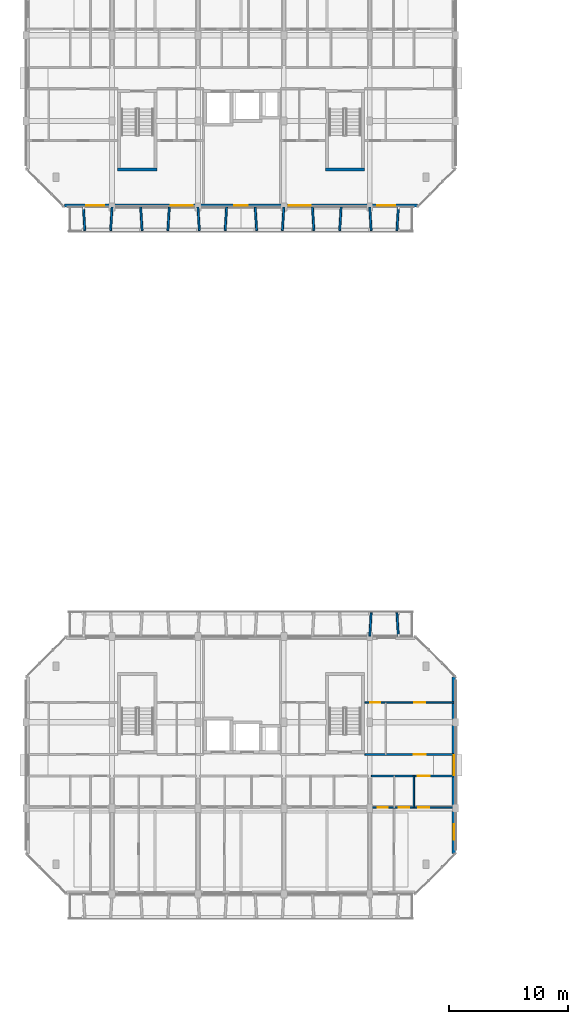
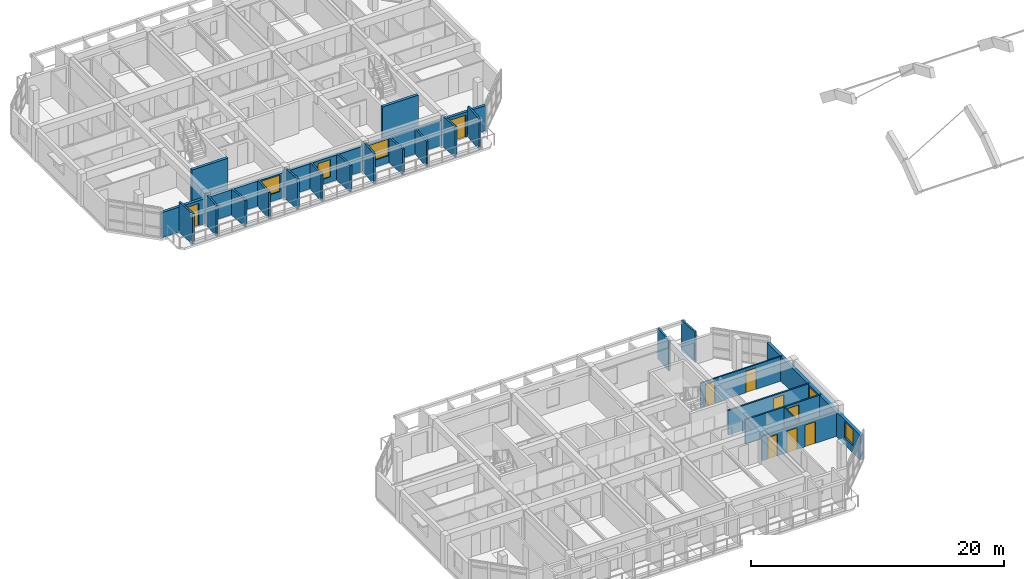
# One storey, part 34 of 64: 23 walls, 9 doors, 5 windows, 14 openings.
"""IFC4 building model written with IfcOpenShell, lengths in metres."""

import ifcopenshell
import ifcopenshell.guid

model = None  # the IFC model being written
_history = None  # IfcOwnerHistory: only IFC2X3 demands one
_inside = {}  # id of a spatial element -> (the spatial element, [elements in it])
_under = {}  # id of a project, library or spatial element -> (it, [spatial elements below it])
_declared = {}  # id of a project -> (the project, [libraries it declares])
_typed = {}  # id of a type object -> (the type object, [elements of that type])
_made_of = {}  # id of a material, layer set ... -> (it, [elements and type objects made of it])


def new_model(schema):
    """Start an empty IFC model of exactly this schema.

    Asked for "IFC4X3", IfcOpenShell would pick the latest addendum, in which some entities
    have other attributes; the version numbers below select the first issue.
    IFC2X3 requires an IfcOwnerHistory on every rooted entity: one is made here for all.
    """
    global model, _history
    if schema == "IFC4X3":
        model = ifcopenshell.file(schema_version=(4, 3, 0, 0))
    else:
        model = ifcopenshell.file(schema=schema)
    _inside.clear()
    _under.clear()
    _declared.clear()
    _typed.clear()
    _made_of.clear()
    _history = None
    if model.schema == "IFC2X3":
        org = make("IfcOrganization", Name="unknown")
        user = make(
            "IfcPersonAndOrganization",
            ThePerson=make("IfcPerson", FamilyName="unknown"),
            TheOrganization=org,
        )
        app = make(
            "IfcApplication",
            ApplicationDeveloper=org,
            Version="unknown",
            ApplicationFullName="unknown",
            ApplicationIdentifier="unknown",
        )
        _history = make(
            "IfcOwnerHistory",
            OwningUser=user,
            OwningApplication=app,
            ChangeAction="ADDED",
            CreationDate=0,
        )
    return model


def make(cls, **values):
    """One entity of the class cls with the attributes given. An attribute that is None is left unset."""
    return model.create_entity(
        cls, **{name: value for name, value in values.items() if value is not None}
    )


def rooted(cls, **values):
    """An entity with a GlobalId (a new one), such as an element, a storey or a relation."""
    return make(cls, GlobalId=ifcopenshell.guid.new(), OwnerHistory=_history, **values)


def si_unit(unit_type, name, prefix=None):
    """IfcSIUnit, for example si_unit("LENGTHUNIT", "METRE", prefix="MILLI")."""
    return make("IfcSIUnit", UnitType=unit_type, Prefix=prefix, Name=name)


def assignment(units):
    """IfcUnitAssignment: the units of a project."""
    return None if units is None else make("IfcUnitAssignment", Units=units)


def point(xyz):
    """IfcCartesianPoint."""
    return None if xyz is None else make("IfcCartesianPoint", Coordinates=xyz)


def direction(xyz):
    """IfcDirection."""
    return None if xyz is None else make("IfcDirection", DirectionRatios=xyz)


def frame(location, z_axis=None, x_axis=None):
    """IfcAxis2Placement3D, a coordinate frame: its origin and axes. An axis left out is left unset."""
    return make(
        "IfcAxis2Placement3D",
        Location=point(location),
        Axis=direction(z_axis),
        RefDirection=direction(x_axis),
    )


def frame_2d(location, x_axis=None):
    """IfcAxis2Placement2D, a coordinate frame in the plane: its origin and x axis."""
    return make(
        "IfcAxis2Placement2D", Location=point(location), RefDirection=direction(x_axis)
    )


def origin():
    """The frame at (0, 0, 0) with its axes left unset."""
    return frame((0.0, 0.0, 0.0))


def place(relative_to, where):
    """IfcLocalPlacement: puts the frame where relative to a parent placement (None: the world)."""
    return make(
        "IfcLocalPlacement", PlacementRelTo=relative_to, RelativePlacement=where
    )


def context(
    kind, dimensions, precision=None, world=None, true_north=None, identifier=None
):
    """IfcGeometricRepresentationContext, for example the 3D "Model" context."""
    return make(
        "IfcGeometricRepresentationContext",
        ContextIdentifier=identifier,
        ContextType=kind,
        CoordinateSpaceDimension=dimensions,
        Precision=precision,
        WorldCoordinateSystem=world,
        TrueNorth=true_north,
    )


def subcontext(parent, identifier, kind, view, scale=None):
    """IfcGeometricRepresentationSubContext, for example "Body" below "Model"."""
    return make(
        "IfcGeometricRepresentationSubContext",
        ContextIdentifier=identifier,
        ContextType=kind,
        ParentContext=parent,
        TargetScale=scale,
        TargetView=view,
    )


def project(units=None, contexts=None):
    """IfcProject with its units and contexts."""
    return rooted(
        "IfcProject",
        Name="project",
        RepresentationContexts=contexts,
        UnitsInContext=assignment(units),
    )


def spatial(cls, under=None, at=None, **own):
    """A site, building, storey or space (cls), placed at a placement, below another one or the project."""
    s = rooted(cls, ObjectPlacement=at, **own)
    if under is not None:
        _under.setdefault(under.id(), (under, []))[1].append(s)
    return s


def profile(cls, at=None, kind="AREA", **sizes):
    """A parametric profile (cls). Its sizes go by their IFC names, for example OverallWidth=200.0."""
    return make(cls, ProfileType=kind, Position=at, **sizes)


def rectangle(**sizes):
    """IfcRectangleProfileDef."""
    return profile("IfcRectangleProfileDef", **sizes)


def extrude(swept, where, along, depth):
    """IfcExtrudedAreaSolid: the profile swept, set in the frame where, extruded along a direction by depth."""
    return make(
        "IfcExtrudedAreaSolid",
        SweptArea=swept,
        Position=where,
        ExtrudedDirection=direction(along),
        Depth=depth,
    )


def shape(context_of_items, identifier, shape_type, items):
    """IfcShapeRepresentation: the items that make up one representation, for example the "Body"."""
    return make(
        "IfcShapeRepresentation",
        ContextOfItems=context_of_items,
        RepresentationIdentifier=identifier,
        RepresentationType=shape_type,
        Items=items,
    )


def material(Name=None, Category=None):
    """IfcMaterial."""
    return make("IfcMaterial", Name=Name, Category=Category)


def layer(
    of_material, thickness, ventilated=None, Name=None, Category=None, Priority=None
):
    """IfcMaterialLayer: one layer of a wall or slab, of a material (None: an air gap)."""
    return make(
        "IfcMaterialLayer",
        Material=of_material,
        LayerThickness=thickness,
        IsVentilated=ventilated,
        Name=Name,
        Category=Category,
        Priority=Priority,
    )


def layer_set(layers, Name=None):
    """IfcMaterialLayerSet."""
    return make("IfcMaterialLayerSet", MaterialLayers=layers, LayerSetName=Name)


def made_of(thing, what):
    """Note that an element or type object is made of a material, layer set ...; save() writes the relation."""
    if what is not None:
        _made_of.setdefault(what.id(), (what, []))[1].append(thing)
    return thing


def type_object(cls, material=None, **own):
    """A type object (cls), such as IfcWallType, which elements share."""
    return made_of(rooted(cls, **own), material)


def element(
    cls,
    number,
    at=None,
    inside=None,
    cuts=None,
    type_object=None,
    material=None,
    context=None,
    identifier="Body",
    shape_type=None,
    held_by="IfcProductDefinitionShape",
    body=None,
    shapes=None,
    **own,
):
    """One element of the class cls, such as IfcWall. Its Tag is "e" and its number.

    at: its placement. inside: the storey or other place that contains it. cuts: it is an
    opening in that element (IfcRelVoidsElement). A single representation is given by context,
    identifier, shape_type and body (its items); several are given by shapes. held_by: the class
    of the entity that holds the representations. save() writes the other relations.
    """
    e = rooted(cls, Tag="e%d" % number, ObjectPlacement=at, **own)
    if body is not None:
        shapes = [shape(context, identifier, shape_type, body)]
    if shapes is not None:
        e.Representation = make(held_by, Representations=shapes)
    if inside is not None:
        _inside.setdefault(inside.id(), (inside, []))[1].append(e)
    if cuts is not None:
        rooted(
            "IfcRelVoidsElement", RelatingBuildingElement=cuts, RelatedOpeningElement=e
        )
    if type_object is not None:
        _typed.setdefault(type_object.id(), (type_object, []))[1].append(e)
    return made_of(e, material)


def fill(opening, filler):
    """IfcRelFillsElement: the door or window that sits in an opening."""
    return rooted(
        "IfcRelFillsElement",
        RelatingOpeningElement=opening,
        RelatedBuildingElement=filler,
    )


def aggregate(whole, parts):
    """IfcRelAggregates: a whole, such as a stair, and the parts it consists of."""
    return rooted("IfcRelAggregates", RelatingObject=whole, RelatedObjects=parts)


def save(model, path):
    """Write the relations noted so far, then the file.

    IfcRelAggregates (storeys below a building ...), IfcRelContainedInSpatialStructure (elements
    in a storey), IfcRelDefinesByType, IfcRelAssociatesMaterial and IfcRelDeclares: one each for
    every whole, place, type object, material and project.
    """
    for whole, parts in _under.values():
        aggregate(whole, parts)
    for where, things in _inside.values():
        rooted(
            "IfcRelContainedInSpatialStructure",
            RelatedElements=things,
            RelatingStructure=where,
        )
    for kind, things in _typed.values():
        rooted("IfcRelDefinesByType", RelatedObjects=things, RelatingType=kind)
    for what, things in _made_of.values():
        rooted("IfcRelAssociatesMaterial", RelatedObjects=things, RelatingMaterial=what)
    for by, libraries in _declared.values():
        rooted("IfcRelDeclares", RelatingContext=by, RelatedDefinitions=libraries)
    model.write(path)


model = new_model("IFC4")

# Units and contexts
model_context = context("Model", 3, precision=1e-05, world=origin(), true_north=direction((0.0, 1.0)))
body_context = subcontext(model_context, "Body", "Model", "MODEL_VIEW")
ifc_project = project(units=[si_unit("LENGTHUNIT", "METRE"), si_unit("AREAUNIT", "SQUARE_METRE"), si_unit("VOLUMEUNIT", "CUBIC_METRE"), si_unit("PLANEANGLEUNIT", "RADIAN"), si_unit("MASSUNIT", "GRAM", prefix="KILO")], contexts=[model_context])

# Site, building, storey
site_placement = place(None, origin())
site = spatial("IfcSite", under=ifc_project, at=site_placement, CompositionType="ELEMENT")
building_placement = place(site_placement, origin())
building = spatial("IfcBuilding", under=site, at=building_placement, Name="Ochrevale Crest", CompositionType="ELEMENT")
storey_placement = place(building_placement, frame((0.0, 0.0, 8.699951171875)))
storey = spatial("IfcBuildingStorey", under=building, at=storey_placement, Name="L02", CompositionType="ELEMENT", Elevation=8.699951171875)

# Wall, opening, door
ifc_material_1 = material(Name="Gypsum plasterboard", Category="gypsum")
ifc_layer_1 = layer(ifc_material_1, 0.139892578125)
ifc_layer_set_1 = layer_set([ifc_layer_1], Name="Gypsum plasterboard")
wall_type_1 = type_object("IfcWallType", Name="WL-COR-140", PredefinedType="PARTITIONING", material=ifc_layer_set_1)
wall_1_placement = place(storey_placement, frame((28.93994140625, 24.300048828125, 0.0), z_axis=(0.0, 0.0, 1.0), x_axis=(1.0, 0.0, 0.0)))
wall_1 = element("IfcWall", 1, at=wall_1_placement, inside=storey, type_object=wall_type_1, Name="Apartment A-L02-U5 corridor wall", PredefinedType="PARTITIONING", context=body_context, shape_type="SweptSolid", body=[
    extrude(rectangle(XDim=6.920166015625, YDim=0.139892578125, at=frame_2d((3.4599609375, 0.0))), origin(), (0.0, 0.0, 1.0), 2.380126953125),
])
opening_1_placement = place(wall_1_placement, frame((3.89501953125, 0.0, 0.0)))
opening_1 = element("IfcOpeningElement", 2, at=opening_1_placement, cuts=wall_1, Name="Opening FD01", PredefinedType="OPENING", context=body_context, shape_type="SweptSolid", body=[
    extrude(rectangle(XDim=0.97998046875, YDim=2.10009765625, at=frame_2d((0.489990234375, 1.050048828125))), frame((0.0, 0.080078125, 0.0), z_axis=(0.0, -1.0, 0.0), x_axis=(1.0, 0.0, 0.0)), (0.0, 0.0, 1.0), 0.159912109375),
])
ifc_material_2 = material(Name="Solid-core FSC hardwood", Category="wood")
door_type_1 = type_object("IfcDoorType", Name="DR-APT-950", OperationType="NOTDEFINED", PredefinedType="DOOR", material=ifc_material_2)
door_1_placement = place(opening_1_placement, origin())
door_1 = element("IfcDoor", 3, at=door_1_placement, inside=storey, type_object=door_type_1, Name="Apartment A-L02-U5 entrance door", OperationType="SINGLE_SWING_LEFT", OverallHeight=2.10009765625, OverallWidth=0.97998046875, PredefinedType="DOOR", context=body_context, shape_type="SweptSolid", body=[
    extrude(rectangle(XDim=0.97998046875, YDim=2.10009765625, at=frame_2d((0.489990234375, 1.050048828125))), frame((0.0, 0.02490234375, 0.0), z_axis=(0.0, -1.0, 0.0), x_axis=(1.0, 0.0, 0.0)), (0.0, 0.0, 1.0), 0.050048828125),
])
fill(opening_1, door_1)

wall_2_placement = place(storey_placement, frame((28.389892578125, 26.10009765625, 0.0), z_axis=(0.0, 0.0, 1.0), x_axis=(1.0, 0.0, 0.0)))
wall_2 = element("IfcWall", 4, at=wall_2_placement, inside=storey, type_object=wall_type_1, Name="Suite A-L02-CE corridor wall", PredefinedType="PARTITIONING", context=body_context, shape_type="SweptSolid", body=[
    extrude(rectangle(XDim=7.47021484375, YDim=0.139892578125, at=frame_2d((3.735107421875, 0.0))), origin(), (0.0, 0.0, 1.0), 2.380126953125),
])
opening_2_placement = place(wall_2_placement, frame((4.1201171875, 0.0, 0.0)))
opening_2 = element("IfcOpeningElement", 5, at=opening_2_placement, cuts=wall_2, Name="Opening FD01", PredefinedType="OPENING", context=body_context, shape_type="SweptSolid", body=[
    extrude(rectangle(XDim=0.97998046875, YDim=2.10009765625, at=frame_2d((0.489990234375, 1.050048828125))), frame((0.0, 0.080078125, 0.0), z_axis=(0.0, -1.0, 0.0), x_axis=(1.0, 0.0, 0.0)), (0.0, 0.0, 1.0), 0.159912109375),
])
door_2_placement = place(opening_2_placement, origin())
door_2 = element("IfcDoor", 6, at=door_2_placement, inside=storey, type_object=door_type_1, Name="Suite A-L02-CE entrance door", OperationType="SINGLE_SWING_LEFT", OverallHeight=2.10009765625, OverallWidth=0.97998046875, PredefinedType="DOOR", context=body_context, shape_type="SweptSolid", body=[
    extrude(rectangle(XDim=0.97998046875, YDim=2.10009765625, at=frame_2d((0.489990234375, 1.050048828125))), frame((0.0, 0.02490234375, 0.0), z_axis=(0.0, -1.0, 0.0), x_axis=(1.0, 0.0, 0.0)), (0.0, 0.0, 1.0), 0.050048828125),
])
fill(opening_2, door_2)

# Walls
ifc_material_3 = material(Name="Precast concrete C50/60", Category="concrete")
ifc_layer_2 = layer(ifc_material_3, 0.2548828125)
ifc_layer_set_2 = layer_set([ifc_layer_2], Name="Precast concrete C50/60")
wall_type_2 = type_object("IfcWallType", Name="WL-CORE-255", PredefinedType="SHEAR", material=ifc_layer_set_2)
for number, where, z_axis, x_axis, name in (
    (7, (7.672607421875, 75.14990234375, 0.0), (0.0, 0.0, 1.0), (1.0, 0.0, 0.0), "Block B L02 Stair 1 precast core shear wall S"),
    (8, (25.072509765625, 75.14990234375, 0.0), (0.0, 0.0, 1.0), (1.0, 0.0, 0.0), "Block B L02 Stair 2 precast core shear wall S"),
):
    element("IfcWall", number, at=place(storey_placement, frame(where, z_axis=z_axis, x_axis=x_axis)), inside=storey, type_object=wall_type_2, Name=name, PredefinedType="SHEAR", context=body_context, shape_type="SweptSolid", body=[
        extrude(rectangle(XDim=3.304931640625, YDim=0.2548828125, at=frame_2d((1.65234375, 0.0))), origin(), (0.0, 0.0, 1.0), 3.150146484375),
    ])

# Wall, openings, windows
ifc_material_4 = material(Name="Clay face brickwork", Category="masonry")
ifc_layer_3 = layer(ifc_material_4, 0.2900390625)
ifc_layer_set_3 = layer_set([ifc_layer_3], Name="Clay face brickwork")
wall_type_3 = type_object("IfcWallType", Name="WL-EXT-BRICK-290", PredefinedType="SOLIDWALL", material=ifc_layer_set_3)
wall_3_placement = place(storey_placement, frame((35.85498046875, 17.800048828125, 0.0), z_axis=(0.0, 0.0, 1.0), x_axis=(0.0, 1.0, 0.0)))
wall_3 = element("IfcWall", 9, at=wall_3_placement, inside=storey, type_object=wall_type_3, Name="Block A L02 external facade wall E3", PredefinedType="SOLIDWALL", context=body_context, shape_type="SweptSolid", body=[
    extrude(rectangle(XDim=14.800048828125, YDim=0.2900390625, at=frame_2d((7.39990234375, 0.0))), origin(), (0.0, 0.0, 1.0), 2.380126953125),
])
opening_3_placement = place(wall_3_placement, frame((6.574951171875, 0.0, 1.050048828125)))
opening_3 = element("IfcOpeningElement", 10, at=opening_3_placement, cuts=wall_3, Name="Opening W19", PredefinedType="OPENING", context=body_context, shape_type="SweptSolid", body=[
    extrude(rectangle(XDim=1.64990234375, YDim=1.14990234375, at=frame_2d((0.824951171875, 0.574951171875))), frame((0.0, 0.155029296875, 0.0), z_axis=(0.0, -1.0, 0.0), x_axis=(1.0, 0.0, 0.0)), (0.0, 0.0, 1.0), 0.31005859375),
])
opening_4_placement = place(wall_3_placement, frame((1.172607421875, 0.0, 0.719970703125)))
opening_4 = element("IfcOpeningElement", 11, at=opening_4_placement, cuts=wall_3, Name="Opening W30", PredefinedType="OPENING", context=body_context, shape_type="SweptSolid", body=[
    extrude(rectangle(XDim=1.300048828125, YDim=1.550048828125, at=frame_2d((0.64990234375, 0.77490234375))), frame((0.0, 0.155029296875, 0.0), z_axis=(0.0, -1.0, 0.0), x_axis=(1.0, 0.0, 0.0)), (0.0, 0.0, 1.0), 0.31005859375),
])
ifc_material_5 = material(Name="Anodised aluminium 6063-T5 and low-E double glazing", Category="aluminium")
window_type_1 = type_object("IfcWindowType", Name="WIN-W19", PartitioningType="SINGLE_PANEL", PredefinedType="WINDOW", material=ifc_material_5)
window_1_placement = place(opening_3_placement, origin())
window_1 = element("IfcWindow", 12, at=window_1_placement, inside=storey, type_object=window_type_1, Name="Block A L02 corridor end daylight window E", OverallHeight=1.14990234375, OverallWidth=1.64990234375, PartitioningType="SINGLE_PANEL", PredefinedType="WINDOW", context=body_context, shape_type="SweptSolid", body=[
    extrude(rectangle(XDim=1.64990234375, YDim=1.14990234375, at=frame_2d((0.824951171875, 0.574951171875))), frame((0.0, 0.030029296875, 0.0), z_axis=(0.0, -1.0, 0.0), x_axis=(1.0, 0.0, 0.0)), (0.0, 0.0, 1.0), 0.06005859375),
])
fill(opening_3, window_1)
window_type_2 = type_object("IfcWindowType", Name="WIN-W30", PartitioningType="SINGLE_PANEL", PredefinedType="WINDOW", material=ifc_material_5)
window_2_placement = place(opening_4_placement, origin())
window_2 = element("IfcWindow", 13, at=window_2_placement, inside=storey, type_object=window_type_2, Name="Block A L02 side suite window E", OverallHeight=1.550048828125, OverallWidth=1.300048828125, PartitioningType="SINGLE_PANEL", PredefinedType="WINDOW", context=body_context, shape_type="SweptSolid", body=[
    extrude(rectangle(XDim=1.300048828125, YDim=1.550048828125, at=frame_2d((0.64990234375, 0.77490234375))), frame((0.0, 0.030029296875, 0.0), z_axis=(0.0, -1.0, 0.0), x_axis=(1.0, 0.0, 0.0)), (0.0, 0.0, 1.0), 0.06005859375),
])
fill(opening_4, window_2)

# Wall, openings, doors, windows
ifc_material_6 = material(Name="Precast concrete C40/50", Category="concrete")
ifc_layer_4 = layer(ifc_material_6, 0.25)
ifc_layer_set_4 = layer_set([ifc_layer_4], Name="Precast concrete C40/50")
wall_type_4 = type_object("IfcWallType", Name="WL-EXT-GOLD-250", PredefinedType="SOLIDWALL", material=ifc_layer_set_4)
wall_4_placement = place(storey_placement, frame((3.199951171875, 72.125, 0.0), z_axis=(0.0, 0.0, 1.0), x_axis=(1.0, 0.0, 0.0)))
wall_4 = element("IfcWall", 14, at=wall_4_placement, inside=storey, type_object=wall_type_4, Name="Block B L02 external facade wall E1", PredefinedType="SOLIDWALL", context=body_context, shape_type="SweptSolid", body=[
    extrude(rectangle(XDim=29.60009765625, YDim=0.25, at=frame_2d((14.800048828125, 0.0))), origin(), (0.0, 0.0, 1.0), 2.429931640625),
])
opening_5_placement = place(wall_4_placement, frame((3.35009765625, 0.0, 0.0), z_axis=(0.0, 0.0, 1.0), x_axis=(-1.0, 0.0, 0.0)))
opening_5 = element("IfcOpeningElement", 15, at=opening_5_placement, cuts=wall_4, Name="Opening BD01", PredefinedType="OPENING", context=body_context, shape_type="SweptSolid", body=[
    extrude(rectangle(XDim=1.5, YDim=2.14990234375, at=frame_2d((0.75, 1.074951171875))), frame((0.0, 0.135009765625, 0.0), z_axis=(0.0, -1.0, 0.0), x_axis=(1.0, 0.0, 0.0)), (0.0, 0.0, 1.0), 0.27001953125),
])
opening_6_placement = place(wall_4_placement, frame((27.75, 0.0, 0.0), z_axis=(0.0, 0.0, 1.0), x_axis=(-1.0, 0.0, 0.0)))
opening_6 = element("IfcOpeningElement", 16, at=opening_6_placement, cuts=wall_4, Name="Opening BD01", PredefinedType="OPENING", context=body_context, shape_type="SweptSolid", body=[
    extrude(rectangle(XDim=1.5, YDim=2.14990234375, at=frame_2d((0.75, 1.074951171875))), frame((0.0, 0.135009765625, 0.0), z_axis=(0.0, -1.0, 0.0), x_axis=(1.0, 0.0, 0.0)), (0.0, 0.0, 1.0), 0.27001953125),
])
opening_7_placement = place(wall_4_placement, frame((14.22509765625, 0.0, 0.5)))
opening_7 = element("IfcOpeningElement", 17, at=opening_7_placement, cuts=wall_4, Name="Opening W32", PredefinedType="OPENING", context=body_context, shape_type="SweptSolid", body=[
    extrude(rectangle(XDim=1.14990234375, YDim=1.679931640625, at=frame_2d((0.574951171875, 0.83984375))), frame((0.0, 0.135009765625, 0.0), z_axis=(0.0, -1.0, 0.0), x_axis=(1.0, 0.0, 0.0)), (0.0, 0.0, 1.0), 0.27001953125),
])
opening_8_placement = place(wall_4_placement, frame((18.81494140625, 0.0, 0.699951171875)))
opening_8 = element("IfcOpeningElement", 18, at=opening_8_placement, cuts=wall_4, Name="Opening W11", PredefinedType="OPENING", context=body_context, shape_type="SweptSolid", body=[
    extrude(rectangle(XDim=1.860107421875, YDim=1.60009765625, at=frame_2d((0.93017578125, 0.800048828125))), frame((0.0, 0.135009765625, 0.0), z_axis=(0.0, -1.0, 0.0), x_axis=(1.0, 0.0, 0.0)), (0.0, 0.0, 1.0), 0.27001953125),
])
opening_9_placement = place(wall_4_placement, frame((8.925048828125, 0.0, 0.699951171875)))
opening_9 = element("IfcOpeningElement", 19, at=opening_9_placement, cuts=wall_4, Name="Opening W11", PredefinedType="OPENING", context=body_context, shape_type="SweptSolid", body=[
    extrude(rectangle(XDim=1.860107421875, YDim=1.60009765625, at=frame_2d((0.93017578125, 0.800048828125))), frame((0.0, 0.135009765625, 0.0), z_axis=(0.0, -1.0, 0.0), x_axis=(1.0, 0.0, 0.0)), (0.0, 0.0, 1.0), 0.27001953125),
])
ifc_material_7 = material(Name="Anodised aluminium 6063-T5 and toughened glass", Category="aluminium")
door_type_2 = type_object("IfcDoorType", Name="DR-BAL-1500", OperationType="NOTDEFINED", PredefinedType="DOOR", material=ifc_material_7)
door_3_placement = place(opening_5_placement, origin())
door_3 = element("IfcDoor", 20, at=door_3_placement, inside=storey, type_object=door_type_2, Name="Block B L02 balcony door S1", OperationType="SINGLE_SWING_RIGHT", OverallHeight=2.14990234375, OverallWidth=1.5, PredefinedType="DOOR", context=body_context, shape_type="SweptSolid", body=[
    extrude(rectangle(XDim=1.5, YDim=2.14990234375, at=frame_2d((0.75, 1.074951171875))), frame((0.0, 0.02490234375, 0.0), z_axis=(0.0, -1.0, 0.0), x_axis=(1.0, 0.0, 0.0)), (0.0, 0.0, 1.0), 0.050048828125),
])
fill(opening_5, door_3)
door_4_placement = place(opening_6_placement, origin())
door_4 = element("IfcDoor", 21, at=door_4_placement, inside=storey, type_object=door_type_2, Name="Block B L02 balcony door S5", OperationType="SINGLE_SWING_LEFT", OverallHeight=2.14990234375, OverallWidth=1.5, PredefinedType="DOOR", context=body_context, shape_type="SweptSolid", body=[
    extrude(rectangle(XDim=1.5, YDim=2.14990234375, at=frame_2d((0.75, 1.074951171875))), frame((0.0, 0.02490234375, 0.0), z_axis=(0.0, -1.0, 0.0), x_axis=(1.0, 0.0, 0.0)), (0.0, 0.0, 1.0), 0.050048828125),
])
fill(opening_6, door_4)
window_type_3 = type_object("IfcWindowType", Name="WIN-W11", PartitioningType="SINGLE_PANEL", PredefinedType="WINDOW", material=ifc_material_5)
window_3_placement = place(opening_8_placement, origin())
window_3 = element("IfcWindow", 22, at=window_3_placement, inside=storey, type_object=window_type_3, Name="Block B L02 Suite B-L02-ME Garden Alcove Studio window", OverallHeight=1.60009765625, OverallWidth=1.860107421875, PartitioningType="SINGLE_PANEL", PredefinedType="WINDOW", context=body_context, shape_type="SweptSolid", body=[
    extrude(rectangle(XDim=1.860107421875, YDim=1.60009765625, at=frame_2d((0.93017578125, 0.800048828125))), frame((0.0, 0.030029296875, 0.0), z_axis=(0.0, -1.0, 0.0), x_axis=(1.0, 0.0, 0.0)), (0.0, 0.0, 1.0), 0.06005859375),
])
fill(opening_8, window_3)
window_4_placement = place(opening_9_placement, origin())
window_4 = element("IfcWindow", 23, at=window_4_placement, inside=storey, type_object=window_type_3, Name="Block B L02 Suite B-L02-MW Courtyard Studio Living window", OverallHeight=1.60009765625, OverallWidth=1.860107421875, PartitioningType="SINGLE_PANEL", PredefinedType="WINDOW", context=body_context, shape_type="SweptSolid", body=[
    extrude(rectangle(XDim=1.860107421875, YDim=1.60009765625, at=frame_2d((0.93017578125, 0.800048828125))), frame((0.0, 0.030029296875, 0.0), z_axis=(0.0, -1.0, 0.0), x_axis=(1.0, 0.0, 0.0)), (0.0, 0.0, 1.0), 0.06005859375),
])
fill(opening_9, window_4)
window_type_4 = type_object("IfcWindowType", Name="WIN-W32", PartitioningType="SINGLE_PANEL", PredefinedType="WINDOW", material=ifc_material_5)
window_5_placement = place(opening_7_placement, origin())
window_5 = element("IfcWindow", 24, at=window_5_placement, inside=storey, type_object=window_type_4, Name="Block B L02 core lancet window", OverallHeight=1.679931640625, OverallWidth=1.14990234375, PartitioningType="SINGLE_PANEL", PredefinedType="WINDOW", context=body_context, shape_type="SweptSolid", body=[
    extrude(rectangle(XDim=1.14990234375, YDim=1.679931640625, at=frame_2d((0.574951171875, 0.83984375))), frame((0.0, 0.030029296875, 0.0), z_axis=(0.0, -1.0, 0.0), x_axis=(1.0, 0.0, 0.0)), (0.0, 0.0, 1.0), 0.06005859375),
])
fill(opening_7, window_5)

# Walls
ifc_layer_5 = layer(ifc_material_6, 0.1650390625)
ifc_layer_set_5 = layer_set([ifc_layer_5], Name="Precast concrete C40/50")
wall_type_5 = type_object("IfcWallType", Name="WL-HC-CHEEK-165", PredefinedType="ELEMENTEDWALL", material=ifc_layer_set_5)
for number, where, z_axis, x_axis, name in (
    (25, (28.800048828125, 36.02001953125, 0.0), (0.0, 0.0, 1.0), (0.061046865508, 0.998134900808, 0.0), "Block A L02 N precast honeycomb cheek 11"),
    (26, (31.199951171875, 36.02001953125, 0.0), (0.0, 0.0, 1.0), (-0.061046865508, 0.998134900808, 0.0), "Block A L02 N precast honeycomb cheek 12"),
    (27, (4.800048828125, 71.97998046875, 0.0), (0.0, 0.0, 1.0), (0.061046865508, -0.998134900808, 0.0), "Block B L02 S precast honeycomb cheek 1"),
    (28, (7.199951171875, 71.97998046875, 0.0), (0.0, 0.0, 1.0), (-0.061046865508, -0.998134900808, 0.0), "Block B L02 S precast honeycomb cheek 2"),
):
    element("IfcWall", number, at=place(storey_placement, frame(where, z_axis=z_axis, x_axis=x_axis)), inside=storey, type_object=wall_type_5, Name=name, PredefinedType="ELEMENTEDWALL", context=body_context, shape_type="SweptSolid", body=[
        extrude(rectangle(XDim=1.963623046875, YDim=0.1650390625, at=frame_2d((0.98193359375, 0.0))), origin(), (0.0, 0.0, 1.0), 2.949951171875),
    ])
for number, where, z_axis, x_axis, name in (
    (29, (9.60009765625, 71.97998046875, 0.0), (0.0, 0.0, 1.0), (0.061046865508, -0.998134900808, 0.0), "Block B L02 S precast honeycomb cheek 3"),
    (30, (12.0, 71.97998046875, 0.0), (0.0, 0.0, 1.0), (-0.061170732449, -0.998127317276, 0.0), "Block B L02 S precast honeycomb cheek 4"),
):
    element("IfcWall", number, at=place(storey_placement, frame(where, z_axis=z_axis, x_axis=x_axis)), inside=storey, type_object=wall_type_5, Name=name, PredefinedType="ELEMENTEDWALL", context=body_context, shape_type="SweptSolid", body=[
        extrude(rectangle(XDim=1.963623046875, YDim=0.1650390625, at=frame_2d((0.98193359375, 0.0))), origin(), (0.0, 0.0, 1.0), 2.550048828125),
    ])
wall_5_placement = place(storey_placement, frame((14.39990234375, 71.97998046875, 0.0), z_axis=(0.0, 0.0, 1.0), x_axis=(0.061170732449, -0.998127317276, 0.0)))
element("IfcWall", 31, at=wall_5_placement, inside=storey, type_object=wall_type_5, Name="Block B L02 S precast honeycomb cheek 5", PredefinedType="ELEMENTEDWALL", context=body_context, shape_type="SweptSolid", body=[
    extrude(rectangle(XDim=1.963623046875, YDim=0.1650390625, at=frame_2d((0.98193359375, 0.0))), origin(), (0.0, 0.0, 1.0), 2.949951171875),
])
for number, where, z_axis, x_axis, name in (
    (32, (16.800048828125, 71.97998046875, 0.0), (0.0, 0.0, 1.0), (-0.061170732449, -0.998127317276, 0.0), "Block B L02 S precast honeycomb cheek 6"),
    (33, (19.199951171875, 71.97998046875, 0.0), (0.0, 0.0, 1.0), (0.061170732449, -0.998127317276, 0.0), "Block B L02 S precast honeycomb cheek 7"),
):
    element("IfcWall", number, at=place(storey_placement, frame(where, z_axis=z_axis, x_axis=x_axis)), inside=storey, type_object=wall_type_5, Name=name, PredefinedType="ELEMENTEDWALL", context=body_context, shape_type="SweptSolid", body=[
        extrude(rectangle(XDim=1.963623046875, YDim=0.1650390625, at=frame_2d((0.98193359375, 0.0))), origin(), (0.0, 0.0, 1.0), 2.580078125),
    ])
wall_6_placement = place(storey_placement, frame((21.60009765625, 71.97998046875, 0.0), z_axis=(0.0, 0.0, 1.0), x_axis=(-0.061170732449, -0.998127317276, 0.0)))
element("IfcWall", 34, at=wall_6_placement, inside=storey, type_object=wall_type_5, Name="Block B L02 S precast honeycomb cheek 8", PredefinedType="ELEMENTEDWALL", context=body_context, shape_type="SweptSolid", body=[
    extrude(rectangle(XDim=1.963623046875, YDim=0.1650390625, at=frame_2d((0.98193359375, 0.0))), origin(), (0.0, 0.0, 1.0), 2.949951171875),
])
for number, where, z_axis, x_axis, name in (
    (35, (24.0, 71.97998046875, 0.0), (0.0, 0.0, 1.0), (0.061170732449, -0.998127317276, 0.0), "Block B L02 S precast honeycomb cheek 9"),
    (36, (26.39990234375, 71.97998046875, 0.0), (0.0, 0.0, 1.0), (-0.061046865508, -0.998134900808, 0.0), "Block B L02 S precast honeycomb cheek 10"),
):
    element("IfcWall", number, at=place(storey_placement, frame(where, z_axis=z_axis, x_axis=x_axis)), inside=storey, type_object=wall_type_5, Name=name, PredefinedType="ELEMENTEDWALL", context=body_context, shape_type="SweptSolid", body=[
        extrude(rectangle(XDim=1.963623046875, YDim=0.1650390625, at=frame_2d((0.98193359375, 0.0))), origin(), (0.0, 0.0, 1.0), 2.449951171875),
    ])
for number, where, z_axis, x_axis, name in (
    (37, (28.800048828125, 71.97998046875, 0.0), (0.0, 0.0, 1.0), (0.061046865508, -0.998134900808, 0.0), "Block B L02 S precast honeycomb cheek 11"),
    (38, (31.199951171875, 71.97998046875, 0.0), (0.0, 0.0, 1.0), (-0.061046865508, -0.998134900808, 0.0), "Block B L02 S precast honeycomb cheek 12"),
):
    element("IfcWall", number, at=place(storey_placement, frame(where, z_axis=z_axis, x_axis=x_axis)), inside=storey, type_object=wall_type_5, Name=name, PredefinedType="ELEMENTEDWALL", context=body_context, shape_type="SweptSolid", body=[
        extrude(rectangle(XDim=1.963623046875, YDim=0.1650390625, at=frame_2d((0.98193359375, 0.0))), origin(), (0.0, 0.0, 1.0), 2.949951171875),
    ])
ifc_layer_6 = layer(ifc_material_1, 0.1201171875)
ifc_layer_set_6 = layer_set([ifc_layer_6], Name="Gypsum plasterboard")
wall_type_6 = type_object("IfcWallType", Name="WL-PART-120", PredefinedType="PARTITIONING", material=ifc_layer_set_6)
wall_7_placement = place(storey_placement, frame((32.5, 21.64990234375, 0.0), z_axis=(0.0, 0.0, 1.0), x_axis=(0.0, 1.0, 0.0)))
element("IfcWall", 39, at=wall_7_placement, inside=storey, type_object=wall_type_6, Name="Apartment A-L02-U5 kitchen-foyer wall", PredefinedType="PARTITIONING", context=body_context, shape_type="SweptSolid", body=[
    extrude(rectangle(XDim=2.650146484375, YDim=0.1201171875, at=frame_2d((1.3251953125, 0.0))), origin(), (0.0, 0.0, 1.0), 2.375),
])

# Wall, openings, doors
wall_8_placement = place(storey_placement, frame((28.93994140625, 21.64990234375, 0.0), z_axis=(0.0, 0.0, 1.0), x_axis=(1.0, 0.0, 0.0)))
wall_8 = element("IfcWall", 40, at=wall_8_placement, inside=storey, type_object=wall_type_6, Name="Apartment A-L02-U5 central partition", PredefinedType="PARTITIONING", context=body_context, shape_type="SweptSolid", body=[
    extrude(rectangle(XDim=6.920166015625, YDim=0.1201171875, at=frame_2d((3.4599609375, 0.0))), origin(), (0.0, 0.0, 1.0), 2.375),
])
opening_10_placement = place(wall_8_placement, frame((1.380126953125, 0.0, 0.0), z_axis=(0.0, 0.0, 1.0), x_axis=(-1.0, 0.0, 0.0)))
opening_10 = element("IfcOpeningElement", 41, at=opening_10_placement, cuts=wall_8, Name="Opening ID01", PredefinedType="OPENING", context=body_context, shape_type="SweptSolid", body=[
    extrude(rectangle(XDim=0.85009765625, YDim=2.080078125, at=frame_2d((0.425048828125, 1.0400390625))), frame((0.0, 0.070068359375, 0.0), z_axis=(0.0, -1.0, 0.0), x_axis=(1.0, 0.0, 0.0)), (0.0, 0.0, 1.0), 0.14013671875),
])
opening_11_placement = place(wall_8_placement, frame((2.284912109375, 0.0, 0.0)))
opening_11 = element("IfcOpeningElement", 42, at=opening_11_placement, cuts=wall_8, Name="Opening ID02", PredefinedType="OPENING", context=body_context, shape_type="SweptSolid", body=[
    extrude(rectangle(XDim=0.89990234375, YDim=2.080078125, at=frame_2d((0.449951171875, 1.0400390625))), frame((0.0, 0.070068359375, 0.0), z_axis=(0.0, -1.0, 0.0), x_axis=(1.0, 0.0, 0.0)), (0.0, 0.0, 1.0), 0.14013671875),
])
opening_12_placement = place(wall_8_placement, frame((4.85986328125, 0.0, 0.0), z_axis=(0.0, 0.0, 1.0), x_axis=(-1.0, 0.0, 0.0)))
opening_12 = element("IfcOpeningElement", 43, at=opening_12_placement, cuts=wall_8, Name="Opening ID06", PredefinedType="OPENING", context=body_context, shape_type="SweptSolid", body=[
    extrude(rectangle(XDim=0.949951171875, YDim=2.080078125, at=frame_2d((0.47509765625, 1.0400390625))), frame((0.0, 0.070068359375, 0.0), z_axis=(0.0, -1.0, 0.0), x_axis=(1.0, 0.0, 0.0)), (0.0, 0.0, 1.0), 0.14013671875),
])
door_type_3 = type_object("IfcDoorType", Name="DR-INT-900", OperationType="NOTDEFINED", PredefinedType="DOOR", material=ifc_material_2)
door_5_placement = place(opening_11_placement, origin())
door_5 = element("IfcDoor", 44, at=door_5_placement, inside=storey, type_object=door_type_3, Name="Apartment A-L02-U5 Kitchen door", OperationType="SINGLE_SWING_LEFT", OverallHeight=2.080078125, OverallWidth=0.89990234375, PredefinedType="DOOR", context=body_context, shape_type="SweptSolid", body=[
    extrude(rectangle(XDim=0.89990234375, YDim=2.080078125, at=frame_2d((0.449951171875, 1.0400390625))), frame((0.0, 0.02490234375, 0.0), z_axis=(0.0, -1.0, 0.0), x_axis=(1.0, 0.0, 0.0)), (0.0, 0.0, 1.0), 0.050048828125),
])
fill(opening_11, door_5)
door_type_4 = type_object("IfcDoorType", Name="DR-INT-950", OperationType="NOTDEFINED", PredefinedType="DOOR", material=ifc_material_2)
door_6_placement = place(opening_12_placement, origin())
door_6 = element("IfcDoor", 45, at=door_6_placement, inside=storey, type_object=door_type_4, Name="Apartment A-L02-U5 Living Foyer door", OperationType="SINGLE_SWING_RIGHT", OverallHeight=2.080078125, OverallWidth=0.949951171875, PredefinedType="DOOR", context=body_context, shape_type="SweptSolid", body=[
    extrude(rectangle(XDim=0.949951171875, YDim=2.080078125, at=frame_2d((0.47509765625, 1.0400390625))), frame((0.0, 0.02490234375, 0.0), z_axis=(0.0, -1.0, 0.0), x_axis=(1.0, 0.0, 0.0)), (0.0, 0.0, 1.0), 0.050048828125),
])
fill(opening_12, door_6)
door_type_5 = type_object("IfcDoorType", Name="DR-WC-850", OperationType="NOTDEFINED", PredefinedType="DOOR", material=ifc_material_2)
door_7_placement = place(opening_10_placement, origin())
door_7 = element("IfcDoor", 46, at=door_7_placement, inside=storey, type_object=door_type_5, Name="Apartment A-L02-U5 Bathroom door", OperationType="SINGLE_SWING_RIGHT", OverallHeight=2.080078125, OverallWidth=0.85009765625, PredefinedType="DOOR", context=body_context, shape_type="SweptSolid", body=[
    extrude(rectangle(XDim=0.85009765625, YDim=2.080078125, at=frame_2d((0.425048828125, 1.0400390625))), frame((0.0, 0.02490234375, 0.0), z_axis=(0.0, -1.0, 0.0), x_axis=(1.0, 0.0, 0.0)), (0.0, 0.0, 1.0), 0.050048828125),
])
fill(opening_10, door_7)

wall_9_placement = place(storey_placement, frame((28.389892578125, 30.449951171875, 0.0), z_axis=(0.0, 0.0, 1.0), x_axis=(1.0, 0.0, 0.0)))
wall_9 = element("IfcWall", 47, at=wall_9_placement, inside=storey, type_object=wall_type_6, Name="Suite A-L02-CE internal wall", PredefinedType="PARTITIONING", context=body_context, shape_type="SweptSolid", body=[
    extrude(rectangle(XDim=7.47021484375, YDim=0.1201171875, at=frame_2d((3.735107421875, 0.0))), origin(), (0.0, 0.0, 1.0), 2.380126953125),
])
opening_13_placement = place(wall_9_placement, frame((1.300048828125, 0.0, 0.0), z_axis=(0.0, 0.0, 1.0), x_axis=(-1.0, 0.0, 0.0)))
opening_13 = element("IfcOpeningElement", 48, at=opening_13_placement, cuts=wall_9, Name="Opening ID01", PredefinedType="OPENING", context=body_context, shape_type="SweptSolid", body=[
    extrude(rectangle(XDim=0.85009765625, YDim=2.080078125, at=frame_2d((0.425048828125, 1.0400390625))), frame((0.0, 0.070068359375, 0.0), z_axis=(0.0, -1.0, 0.0), x_axis=(1.0, 0.0, 0.0)), (0.0, 0.0, 1.0), 0.14013671875),
])
opening_14_placement = place(wall_9_placement, frame((4.14990234375, 0.0, 0.0)))
opening_14 = element("IfcOpeningElement", 49, at=opening_14_placement, cuts=wall_9, Name="Opening ID04", PredefinedType="OPENING", context=body_context, shape_type="SweptSolid", body=[
    extrude(rectangle(XDim=0.919921875, YDim=2.080078125, at=frame_2d((0.4599609375, 1.0400390625))), frame((0.0, 0.070068359375, 0.0), z_axis=(0.0, -1.0, 0.0), x_axis=(1.0, 0.0, 0.0)), (0.0, 0.0, 1.0), 0.14013671875),
])
door_type_6 = type_object("IfcDoorType", Name="DR-INT-920", OperationType="NOTDEFINED", PredefinedType="DOOR", material=ifc_material_2)
door_8_placement = place(opening_14_placement, origin())
door_8 = element("IfcDoor", 50, at=door_8_placement, inside=storey, type_object=door_type_6, Name="Suite A-L02-CE Master Bedroom door", OperationType="SINGLE_SWING_LEFT", OverallHeight=2.080078125, OverallWidth=0.919921875, PredefinedType="DOOR", context=body_context, shape_type="SweptSolid", body=[
    extrude(rectangle(XDim=0.919921875, YDim=2.080078125, at=frame_2d((0.4599609375, 1.0400390625))), frame((0.0, 0.02490234375, 0.0), z_axis=(0.0, -1.0, 0.0), x_axis=(1.0, 0.0, 0.0)), (0.0, 0.0, 1.0), 0.050048828125),
])
fill(opening_14, door_8)
door_9_placement = place(opening_13_placement, origin())
door_9 = element("IfcDoor", 51, at=door_9_placement, inside=storey, type_object=door_type_5, Name="Suite A-L02-CE Bathroom door", OperationType="SINGLE_SWING_RIGHT", OverallHeight=2.080078125, OverallWidth=0.85009765625, PredefinedType="DOOR", context=body_context, shape_type="SweptSolid", body=[
    extrude(rectangle(XDim=0.85009765625, YDim=2.080078125, at=frame_2d((0.425048828125, 1.0400390625))), frame((0.0, 0.02490234375, 0.0), z_axis=(0.0, -1.0, 0.0), x_axis=(1.0, 0.0, 0.0)), (0.0, 0.0, 1.0), 0.050048828125),
])
fill(opening_13, door_9)

save(model, "model.ifc")
